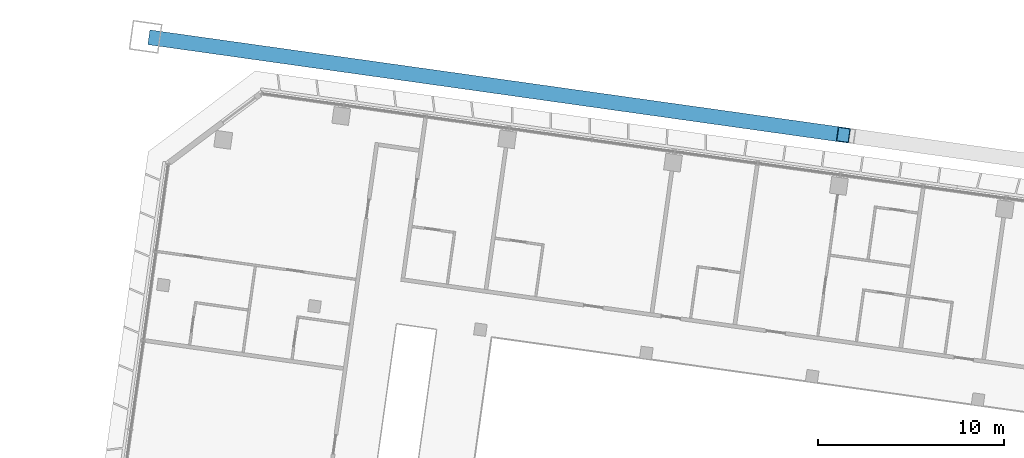
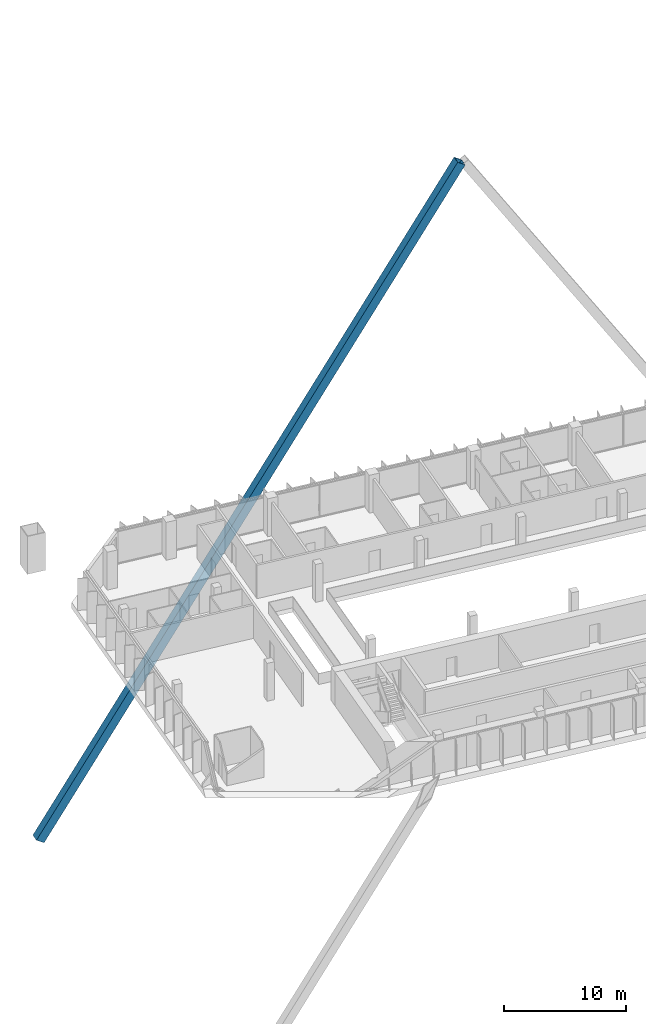
# One storey, part 5 of 41: 1 member.
"""IFC4 building model written with IfcOpenShell, lengths in metres."""

from ifc_helpers import new_model, si_unit, direction, frame, origin, origin_2d, place, context, subcontext, project, spatial, hollow_rectangle, extrude, material, material_profile, profile_set, type_object, element, save


model = new_model("IFC4")

# Units and contexts
model_context = context("Model", 3, precision=1e-05, world=origin(), true_north=direction((0.0, 1.0)))
body_context = subcontext(model_context, "Body", "Model", "MODEL_VIEW")
ifc_project = project(units=[si_unit("LENGTHUNIT", "METRE"), si_unit("AREAUNIT", "SQUARE_METRE"), si_unit("VOLUMEUNIT", "CUBIC_METRE"), si_unit("PLANEANGLEUNIT", "RADIAN"), si_unit("MASSUNIT", "GRAM", prefix="KILO")], contexts=[model_context])

# Site, building, storey
site_placement = place(None, origin())
site = spatial("IfcSite", under=ifc_project, at=site_placement, CompositionType="ELEMENT")
building_placement = place(site_placement, origin())
building = spatial("IfcBuilding", under=site, at=building_placement, Name="Mirante Cascada Hotel Towers", CompositionType="ELEMENT")
storey_placement = place(building_placement, frame((0.0, 0.0, 125.3)))
storey = spatial("IfcBuildingStorey", under=building, at=storey_placement, Name="L28", CompositionType="ELEMENT", Elevation=125.3)

# Member
ifc_material = material(Name="Steel ASTM A572 Gr 50", Category="steel")
ifc_material_profile = material_profile(ifc_material, hollow_rectangle(XDim=0.8, YDim=0.8, WallThickness=0.04, at=origin_2d()), Name="Box brace 800x800x40 ASTM A572 Gr 50")
ifc_profile_set = profile_set([ifc_material_profile], Name="Steel ASTM A572 Gr 50")
member_type = type_object("IfcMemberType", Name="Box brace 800x800x40 ASTM A572 Gr 50", PredefinedType="BRACE", material=ifc_profile_set)
member_placement = place(storey_placement, frame((-99.8489, 29.023, -27.4172), z_axis=(0.5344757, -0.0751164, 0.8418392), x_axis=(0.1391744, 0.9902679, 0.0)))
element("IfcMember", 1, at=member_placement, inside=storey, type_object=member_type, Name="brace T1 L28 2", PredefinedType="BRACE", context=body_context, shape_type="SweptSolid", body=[
    extrude(hollow_rectangle(XDim=0.8, YDim=0.8, WallThickness=0.04, at=origin_2d()), origin(), (0.0, 0.0, 1.0), 69.1953),
])

save(model, "model.ifc")
